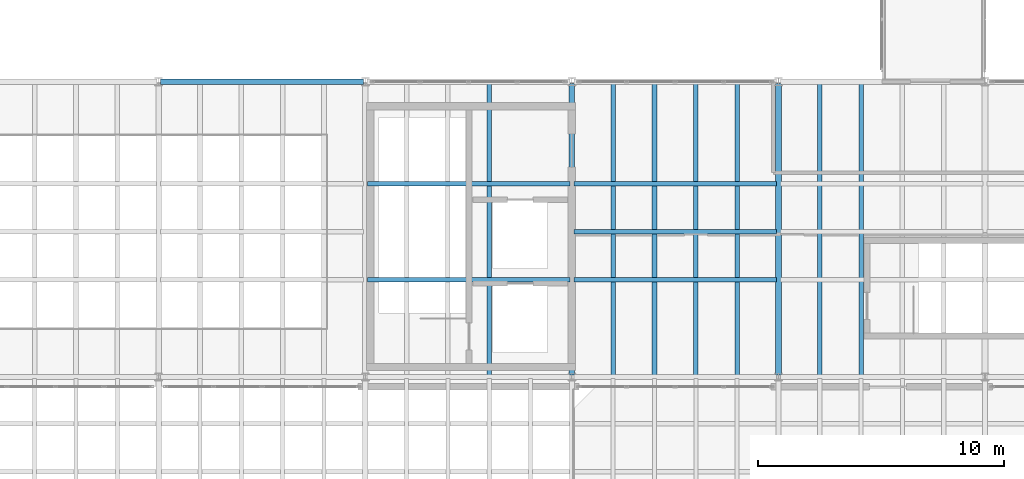
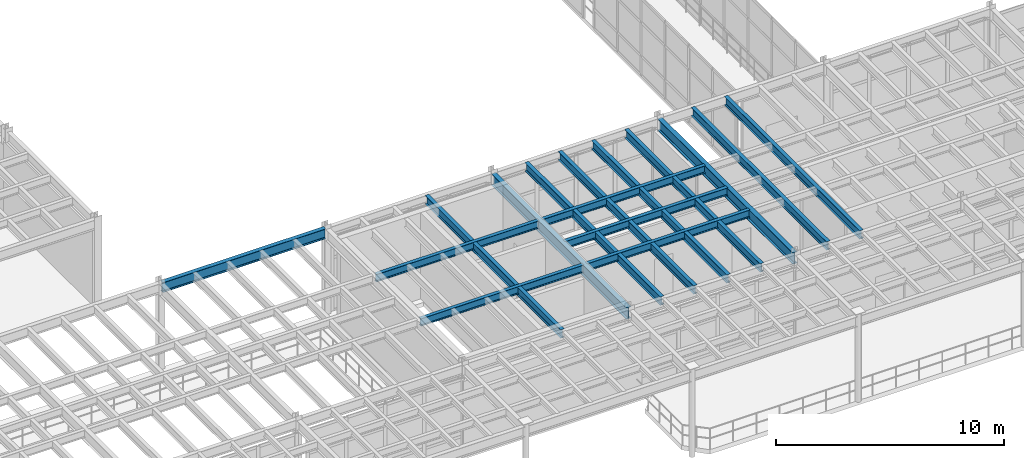
# One storey, part 40 of 105: 15 beams.
"""IFC4 building model written with IfcOpenShell, lengths in metres."""

from ifc_helpers import new_model, si_unit, direction, frame, origin, origin_2d, place, context, subcontext, project, spatial, i_section, extrude, material, material_profile, profile_set, type_object, element, save


model = new_model("IFC4")

# Units and contexts
model_context = context("Model", 3, precision=1e-05, world=origin(), true_north=direction((0.0, 1.0)))
body_context = subcontext(model_context, "Body", "Model", "MODEL_VIEW")
ifc_project = project(units=[si_unit("LENGTHUNIT", "METRE"), si_unit("AREAUNIT", "SQUARE_METRE"), si_unit("VOLUMEUNIT", "CUBIC_METRE"), si_unit("PLANEANGLEUNIT", "RADIAN"), si_unit("MASSUNIT", "GRAM", prefix="KILO")], contexts=[model_context])

# Site, building, storey
site_placement = place(None, origin())
site = spatial("IfcSite", under=ifc_project, at=site_placement, CompositionType="ELEMENT")
building_placement = place(site_placement, origin())
building = spatial("IfcBuilding", under=site, at=building_placement, Name="Selat Folded Stagehouse", CompositionType="ELEMENT")
storey_placement = place(building_placement, frame((0.0, 0.0, 10.199951171875)))
storey = spatial("IfcBuildingStorey", under=building, at=storey_placement, Name="L02", CompositionType="ELEMENT", Elevation=10.199951171875)

# Beams
ifc_material = material(Name="Steel S355", Category="steel")
ifc_material_profile_1 = material_profile(ifc_material, i_section(OverallWidth=0.209228515625, OverallDepth=0.533203125, WebThickness=0.010009765625, FlangeThickness=0.015625, FilletRadius=0.0126953125, at=origin_2d()), Name="UKB 533x210x92")
ifc_profile_set_1 = profile_set([ifc_material_profile_1], Name="Steel S355")
beam_type_1 = type_object("IfcBeamType", Name="BM-GIRD-533x210x92", PredefinedType="BEAM", material=ifc_profile_set_1)
beam_placement = place(storey_placement, frame((67.277099609375, 17.800048828125, 4.308349609375), z_axis=(1.0, 0.0, 0.0), x_axis=(0.0, 1.0, 0.0)))
element("IfcBeam", 1, at=beam_placement, inside=storey, type_object=beam_type_1, Name="L02 primary x-girder 1003", PredefinedType="BEAM", context=body_context, shape_type="SweptSolid", body=[
    extrude(i_section(OverallWidth=0.209228515625, OverallDepth=0.533203125, WebThickness=0.010009765625, FlangeThickness=0.015625, FilletRadius=0.0126953125, at=origin_2d()), origin(), (0.0, 0.0, 1.0), 8.245849609375),
])
ifc_material_profile_2 = material_profile(ifc_material, i_section(OverallWidth=0.230224609375, OverallDepth=0.6171875, WebThickness=0.01318359375, FlangeThickness=0.022216796875, FilletRadius=0.0126953125, at=origin_2d()), Name="UKB 610x229x140")
ifc_profile_set_2 = profile_set([ifc_material_profile_2], Name="Steel S355")
beam_type_2 = type_object("IfcBeamType", Name="BM-GIRD-610x229x140", PredefinedType="BEAM", material=ifc_profile_set_2)
for number, where, z_axis, x_axis, name in (
    (2, (84.0, 5.876953125, 4.266357421875), (0.0, 1.0, 0.0), (-1.0, 0.0, 0.0), "L02 primary y-girder 1064"),
    (3, (92.39990234375, 5.876953125, 4.266357421875), (0.0, 1.0, 0.0), (-1.0, 0.0, 0.0), "L02 primary y-girder 1066"),
):
    element("IfcBeam", number, at=place(storey_placement, frame(where, z_axis=z_axis, x_axis=x_axis)), inside=storey, type_object=beam_type_2, Name=name, PredefinedType="BEAM", context=body_context, shape_type="SweptSolid", body=[
        extrude(i_section(OverallWidth=0.230224609375, OverallDepth=0.6171875, WebThickness=0.01318359375, FlangeThickness=0.022216796875, FilletRadius=0.0126953125, at=origin_2d()), origin(), (0.0, 0.0, 1.0), 11.845947265625),
    ])
ifc_material_profile_3 = material_profile(ifc_material, i_section(OverallWidth=0.177978515625, OverallDepth=0.406494140625, WebThickness=0.0078125, FlangeThickness=0.0126953125, FilletRadius=0.01025390625, at=origin_2d()), Name="UKB 406x178x60")
ifc_profile_set_3 = profile_set([ifc_material_profile_3], Name="Steel S355")
beam_type_3 = type_object("IfcBeamType", Name="JST-406x178x60", PredefinedType="JOIST", material=ifc_profile_set_3)
for number, where, z_axis, x_axis, name in (
    (4, (75.6806640625, 9.75, 4.371826171875), (1.0, 0.0, 0.0), (0.0, 1.0, 0.0), "L02 secondary x-joist 1222"),
    (5, (84.08056640625, 9.75, 4.371826171875), (1.0, 0.0, 0.0), (0.0, 1.0, 0.0), "L02 secondary x-joist 1223"),
    (6, (84.08056640625, 11.699951171875, 4.371826171875), (1.0, 0.0, 0.0), (0.0, 1.0, 0.0), "L02 secondary x-joist 1231"),
    (7, (75.6806640625, 13.64990234375, 4.371826171875), (1.0, 0.0, 0.0), (0.0, 1.0, 0.0), "L02 secondary x-joist 1239"),
    (8, (84.08056640625, 13.64990234375, 4.371826171875), (1.0, 0.0, 0.0), (0.0, 1.0, 0.0), "L02 secondary x-joist 1240"),
):
    element("IfcBeam", number, at=place(storey_placement, frame(where, z_axis=z_axis, x_axis=x_axis)), inside=storey, type_object=beam_type_3, Name=name, PredefinedType="JOIST", context=body_context, shape_type="SweptSolid", body=[
        extrude(i_section(OverallWidth=0.177978515625, OverallDepth=0.406494140625, WebThickness=0.0078125, FlangeThickness=0.0126953125, FilletRadius=0.01025390625, at=origin_2d()), origin(), (0.0, 0.0, 1.0), 8.23876953125),
    ])
ifc_material_profile_4 = material_profile(ifc_material, i_section(OverallWidth=0.18994140625, OverallDepth=0.453369140625, WebThickness=0.008544921875, FlangeThickness=0.0126953125, FilletRadius=0.01025390625, at=origin_2d()), Name="UKB 457x191x67")
ifc_profile_set_4 = profile_set([ifc_material_profile_4], Name="Steel S355")
beam_type_4 = type_object("IfcBeamType", Name="JST-457x191x67", PredefinedType="JOIST", material=ifc_profile_set_4)
for number, where, z_axis, x_axis, name in (
    (9, (80.639892578125, 5.873291015625, 4.348388671875), (0.0, 1.0, 0.0), (-1.0, 0.0, 0.0), "L02 secondary floor joist 1157"),
    (10, (85.679931640625, 5.873291015625, 4.348388671875), (0.0, 1.0, 0.0), (-1.0, 0.0, 0.0), "L02 secondary floor joist 1160"),
    (11, (87.360107421875, 5.873291015625, 4.348388671875), (0.0, 1.0, 0.0), (-1.0, 0.0, 0.0), "L02 secondary floor joist 1162"),
    (12, (89.0400390625, 5.873291015625, 4.348388671875), (0.0, 1.0, 0.0), (-1.0, 0.0, 0.0), "L02 secondary floor joist 1164"),
    (13, (90.719970703125, 5.873291015625, 4.348388671875), (0.0, 1.0, 0.0), (-1.0, 0.0, 0.0), "L02 secondary floor joist 1166"),
    (14, (94.080078125, 5.873291015625, 4.348388671875), (0.0, 1.0, 0.0), (-1.0, 0.0, 0.0), "L02 secondary floor joist 1168"),
    (15, (95.760009765625, 5.873291015625, 4.348388671875), (0.0, 1.0, 0.0), (-1.0, 0.0, 0.0), "L02 secondary floor joist 1170"),
):
    element("IfcBeam", number, at=place(storey_placement, frame(where, z_axis=z_axis, x_axis=x_axis)), inside=storey, type_object=beam_type_4, Name=name, PredefinedType="JOIST", context=body_context, shape_type="SweptSolid", body=[
        extrude(i_section(OverallWidth=0.18994140625, OverallDepth=0.453369140625, WebThickness=0.008544921875, FlangeThickness=0.0126953125, FilletRadius=0.01025390625, at=origin_2d()), origin(), (0.0, 0.0, 1.0), 11.853515625),
    ])

save(model, "model.ifc")
